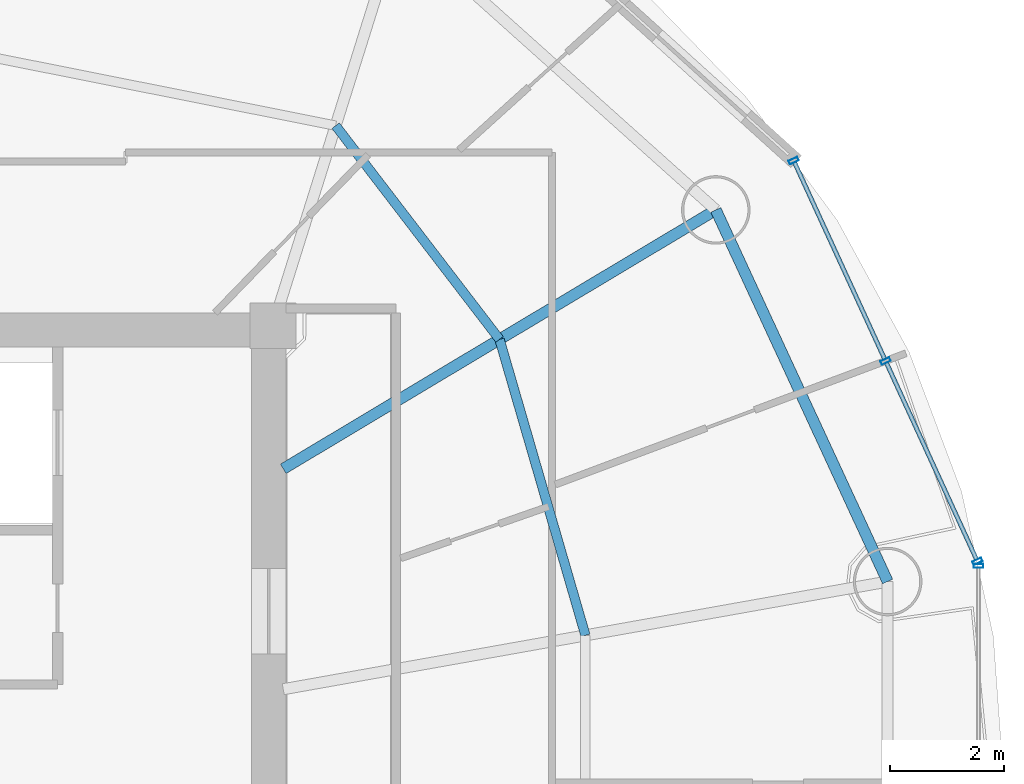
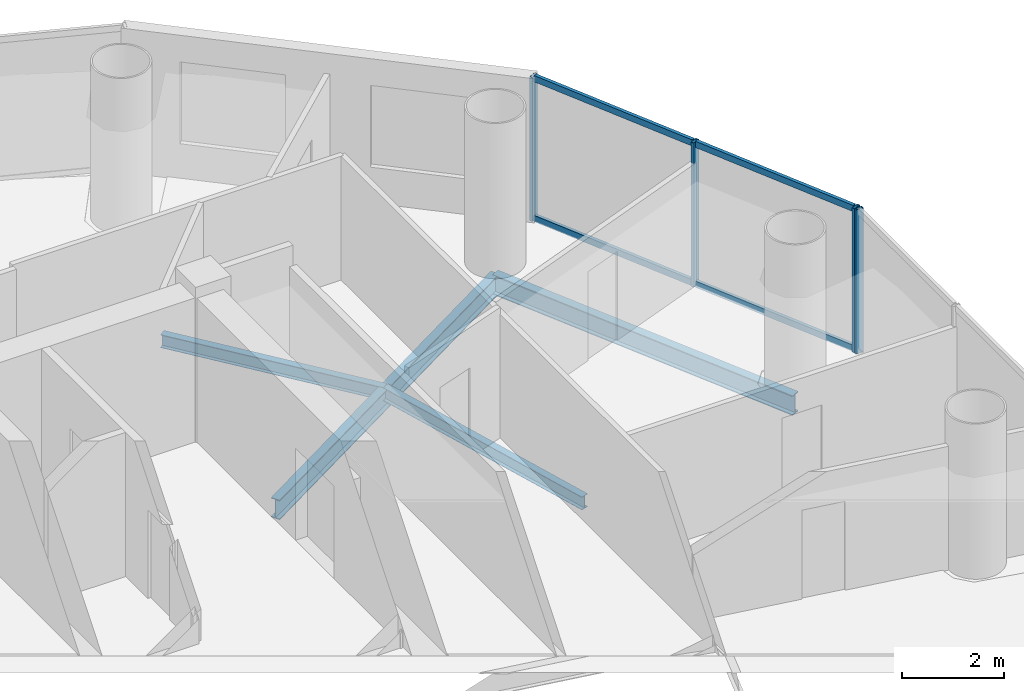
# One storey, part 14 of 26: 8 members, 4 beams, 2 elements without a shape of their own.
"""IFC4 building model written with IfcOpenShell, lengths in metres."""

from ifc_helpers import new_model, si_unit, direction, frame, origin, origin_2d, place, context, subcontext, project, spatial, hollow_rectangle, i_section, extrude, source, transform, mapped, material, material_profile, profile_set, type_object, element, aggregate, save


model = new_model("IFC4")

# Units and contexts
model_context = context("Model", 3, precision=1e-05, world=origin(), true_north=direction((-0.2419218956, 0.970295726276)))
body_context = subcontext(model_context, "Body", "Model", "MODEL_VIEW")
ifc_project = project(units=[si_unit("LENGTHUNIT", "METRE"), si_unit("AREAUNIT", "SQUARE_METRE"), si_unit("VOLUMEUNIT", "CUBIC_METRE"), si_unit("PLANEANGLEUNIT", "RADIAN"), si_unit("MASSUNIT", "GRAM", prefix="KILO")], contexts=[model_context])

# Site, building, storey
site_placement = place(None, origin())
site = spatial("IfcSite", under=ifc_project, at=site_placement, CompositionType="ELEMENT")
building_placement = place(site_placement, origin())
building = spatial("IfcBuilding", under=site, at=building_placement, Name="Cobrevalo Terracotta Tower", CompositionType="ELEMENT")
storey_placement = place(building_placement, frame((0.0, 0.0, 224.5)))
storey = spatial("IfcBuildingStorey", under=building, at=storey_placement, Name="L59", CompositionType="ELEMENT", Elevation=224.5)

# Beams
ifc_material_1 = material(Name="Steel S355", Category="steel")
ifc_material_profile_1 = material_profile(ifc_material_1, i_section(OverallWidth=0.194091796875, OverallDepth=0.468994140625, WebThickness=0.011474609375, FlangeThickness=0.0205078125, at=origin_2d()), Name="W 460x106")
ifc_profile_set_1 = profile_set([ifc_material_profile_1], Name="Steel S355")
beam_type_1 = type_object("IfcBeamType", Name="Structural Beam W 460x106 (Steel S355)", PredefinedType="BEAM", material=ifc_profile_set_1)
beam_1_placement = place(storey_placement, frame((54.754150390625, 36.828125, -0.49951171875), z_axis=(-0.858046392192, -0.513572184651, 0.0), x_axis=(0.513572184651, -0.858046392192, 0.0)))
element("IfcBeam", 1, at=beam_1_placement, inside=storey, type_object=beam_type_1, Name="L59 radial floor girder 02", PredefinedType="BEAM", context=body_context, shape_type="SweptSolid", body=[
    extrude(i_section(OverallWidth=0.194091796875, OverallDepth=0.468994140625, WebThickness=0.011474609375, FlangeThickness=0.0205078125, at=origin_2d()), origin(), (0.0, 0.0, 1.0), 8.827392578125),
])
ifc_material_profile_2 = material_profile(ifc_material_1, i_section(OverallWidth=0.1650390625, OverallDepth=0.31005859375, WebThickness=0.005859375, FlangeThickness=0.009765625, at=origin_2d()), Name="W 310x38.7")
ifc_profile_set_2 = profile_set([ifc_material_profile_2], Name="Steel S355")
beam_type_2 = type_object("IfcBeamType", Name="Structural Joist W 310x38.7 (Steel S355)", PredefinedType="JOIST", material=ifc_profile_set_2)
beam_2_placement = place(storey_placement, frame((52.471435546875, 29.378662109375, -0.419921875), z_axis=(-0.278769817131, 0.960357948401, 0.0), x_axis=(-0.960357948401, -0.278769817131, 0.0)))
element("IfcBeam", 2, at=beam_2_placement, inside=storey, type_object=beam_type_2, Name="L59 circumferential secondary floor joist 01", PredefinedType="JOIST", context=body_context, shape_type="SweptSolid", body=[
    extrude(i_section(OverallWidth=0.1650390625, OverallDepth=0.31005859375, WebThickness=0.005859375, FlangeThickness=0.009765625, at=origin_2d()), origin(), (0.0, 0.0, 1.0), 5.396484375),
])
beam_3_placement = place(storey_placement, frame((50.967041015625, 34.561279296875, -0.419921875), z_axis=(-0.608464146296, 0.793581364872, 0.0), x_axis=(-0.793581364872, -0.608464146296, 0.0)))
element("IfcBeam", 3, at=beam_3_placement, inside=storey, type_object=beam_type_2, Name="L59 circumferential secondary floor joist 02", PredefinedType="JOIST", context=body_context, shape_type="SweptSolid", body=[
    extrude(i_section(OverallWidth=0.1650390625, OverallDepth=0.31005859375, WebThickness=0.005859375, FlangeThickness=0.009765625, at=origin_2d()), origin(), (0.0, 0.0, 1.0), 4.716064453125),
])
ifc_material_profile_3 = material_profile(ifc_material_1, i_section(OverallWidth=0.194091796875, OverallDepth=0.468994140625, WebThickness=0.011474609375, FlangeThickness=0.0205078125, at=origin_2d()), Name="W 460x106")
ifc_profile_set_3 = profile_set([ifc_material_profile_3], Name="Steel S355")
beam_type_3 = type_object("IfcBeamType", Name="Structural Spandrel W 460x106 (Steel S355)", PredefinedType="SPANDREL", material=ifc_profile_set_3)
beam_4_placement = place(storey_placement, frame((57.762939453125, 30.3212890625, -0.49951171875), z_axis=(-0.419705965131, 0.907660125176, 0.0), x_axis=(-0.907660125176, -0.419705965131, 0.0)))
element("IfcBeam", 4, at=beam_4_placement, inside=storey, type_object=beam_type_3, Name="L59 perimeter ring spandrel 01", PredefinedType="SPANDREL", context=body_context, shape_type="SweptSolid", body=[
    extrude(i_section(OverallWidth=0.194091796875, OverallDepth=0.468994140625, WebThickness=0.011474609375, FlangeThickness=0.0205078125, at=origin_2d()), origin(), (0.0, 0.0, 1.0), 7.168701171875),
])

# Curtain wall, members
ifc_material_2 = material(Name="Anodized aluminium", Category="aluminium")
curtain_wall_type = type_object("IfcCurtainWallType", Name="Mid-tower high-wind unitised curtain wall CW-U2", PredefinedType="NOTDEFINED", material=ifc_material_2)
curtain_wall_1_placement = place(storey_placement, origin())
curtain_wall_1 = element("IfcCurtainWall", 5, at=curtain_wall_1_placement, inside=storey, type_object=curtain_wall_type, Name="L59 curtain wall CW-L59-S01", PredefinedType="NOTDEFINED")
ifc_material_profile_4 = material_profile(ifc_material_2, hollow_rectangle(XDim=0.074951171875, YDim=0.14990234375, WallThickness=0.00439453125, at=origin_2d()), Name="CWT 75x150")
ifc_profile_set_4 = profile_set([ifc_material_profile_4], Name="Anodized aluminium")
member_type_1 = type_object("IfcMemberType", Name="Tower unitised aluminium transom 75x150", PredefinedType="USERDEFINED", material=ifc_profile_set_4)
shared_shape_1 = source(origin(), body_context, "Body", "SweptSolid", [
    extrude(hollow_rectangle(XDim=0.074951171875, YDim=0.14990234375, WallThickness=0.00439453125, at=origin_2d()), origin(), (0.0, 0.0, 1.0), 3.780029296875),
])
member_1_placement = place(storey_placement, frame((59.318359375, 30.710205078125, 0.050048828125), z_axis=(-0.416705859352, 0.909041377926, 0.0), x_axis=(-0.909041377926, -0.416705859352, 0.0)))
member_1 = element("IfcMember", 6, at=member_1_placement, type_object=member_type_1, Name="CW-L59-S01 transom B01-T1", ObjectType="TRANSOM", PredefinedType="USERDEFINED", context=body_context, shape_type="MappedRepresentation", body=[
    mapped(shared_shape_1, transform((0.0, 0.0, 0.0), scale=1.0)),
])
member_2_placement = place(storey_placement, frame((59.318359375, 30.710205078125, 3.385009765625), z_axis=(-0.416705859352, 0.909041377926, 0.0), x_axis=(-0.909041377926, -0.416705859352, 0.0)))
member_2 = element("IfcMember", 7, at=member_2_placement, type_object=member_type_1, Name="CW-L59-S01 transom B01-T2", ObjectType="TRANSOM", PredefinedType="USERDEFINED", context=body_context, shape_type="MappedRepresentation", body=[
    mapped(shared_shape_1, transform((0.0, 0.0, 0.0), scale=1.0)),
])
member_3_placement = place(storey_placement, frame((57.709716796875, 34.218994140625, 0.050048828125), z_axis=(-0.416705859352, 0.909041377926, 0.0), x_axis=(-0.909041377926, -0.416705859352, 0.0)))
member_3 = element("IfcMember", 8, at=member_3_placement, type_object=member_type_1, Name="CW-L59-S01 transom B02-T1", ObjectType="TRANSOM", PredefinedType="USERDEFINED", context=body_context, shape_type="MappedRepresentation", body=[
    mapped(shared_shape_1, transform((0.0, 0.0, 0.0), scale=1.0)),
])
member_4_placement = place(storey_placement, frame((57.709716796875, 34.218994140625, 3.385009765625), z_axis=(-0.416705859352, 0.909041377926, 0.0), x_axis=(-0.909041377926, -0.416705859352, 0.0)))
member_4 = element("IfcMember", 9, at=member_4_placement, type_object=member_type_1, Name="CW-L59-S01 transom B02-T2", ObjectType="TRANSOM", PredefinedType="USERDEFINED", context=body_context, shape_type="MappedRepresentation", body=[
    mapped(shared_shape_1, transform((0.0, 0.0, 0.0), scale=1.0)),
])
ifc_material_profile_5 = material_profile(ifc_material_2, hollow_rectangle(XDim=0.070068359375, YDim=0.169921875, WallThickness=0.00439453125, at=origin_2d()), Name="CWM 70x170")
ifc_profile_set_5 = profile_set([ifc_material_profile_5], Name="Anodized aluminium")
member_type_2 = type_object("IfcMemberType", Name="Upper tower unitised mullion 70x170", PredefinedType="MULLION", material=ifc_profile_set_5)
shared_shape_2 = source(origin(), body_context, "Body", "SweptSolid", [
    extrude(hollow_rectangle(XDim=0.070068359375, YDim=0.169921875, WallThickness=0.00439453125, at=origin_2d()), origin(), (0.0, 0.0, 1.0), 3.43505859375),
])
member_5_placement = place(storey_placement, frame((59.3349609375, 30.673828125, 0.0), z_axis=(0.0, 0.0, 1.0), x_axis=(-0.41672507912, 0.909032567311, 0.0)))
member_5 = element("IfcMember", 10, at=member_5_placement, type_object=member_type_2, Name="CW-L59-S01 vertical mullion 01", PredefinedType="MULLION", context=body_context, shape_type="MappedRepresentation", body=[
    mapped(shared_shape_2, transform((0.0, 0.0, 0.0), scale=1.0)),
])
member_6_placement = place(storey_placement, frame((57.726318359375, 34.182861328125, 0.0), z_axis=(0.0, 0.0, 1.0), x_axis=(-0.41672507912, 0.909032567311, 0.0)))
member_6 = element("IfcMember", 11, at=member_6_placement, type_object=member_type_2, Name="CW-L59-S01 vertical mullion 02", PredefinedType="MULLION", context=body_context, shape_type="MappedRepresentation", body=[
    mapped(shared_shape_2, transform((0.0, 0.0, 0.0), scale=1.0)),
])
member_7_placement = place(storey_placement, frame((56.11767578125, 37.691650390625, 0.0), z_axis=(0.0, 0.0, 1.0), x_axis=(-0.41672507912, 0.909032567311, 0.0)))
member_7 = element("IfcMember", 12, at=member_7_placement, type_object=member_type_2, Name="CW-L59-S01 vertical mullion 03", PredefinedType="MULLION", context=body_context, shape_type="MappedRepresentation", body=[
    mapped(shared_shape_2, transform((0.0, 0.0, 0.0), scale=1.0)),
])
aggregate(curtain_wall_1, [member_5, member_6, member_7, member_1, member_2, member_3, member_4])

# Curtain wall, member
curtain_wall_2_placement = place(storey_placement, origin())
curtain_wall_2 = element("IfcCurtainWall", 13, at=curtain_wall_2_placement, inside=storey, type_object=curtain_wall_type, Name="L59 curtain wall CW-L59-S16", PredefinedType="NOTDEFINED")
member_8_placement = place(storey_placement, frame((59.351806640625, 30.597412109375, 0.0), z_axis=(0.0, 0.0, 1.0), x_axis=(0.0, 1.0, 0.0)))
member_8 = element("IfcMember", 14, at=member_8_placement, type_object=member_type_2, Name="CW-L59-S16 vertical mullion 03", PredefinedType="MULLION", context=body_context, shape_type="MappedRepresentation", body=[
    mapped(shared_shape_2, transform((0.0, 0.0, 0.0), scale=1.0)),
])
aggregate(curtain_wall_2, [member_8])

save(model, "model.ifc")
